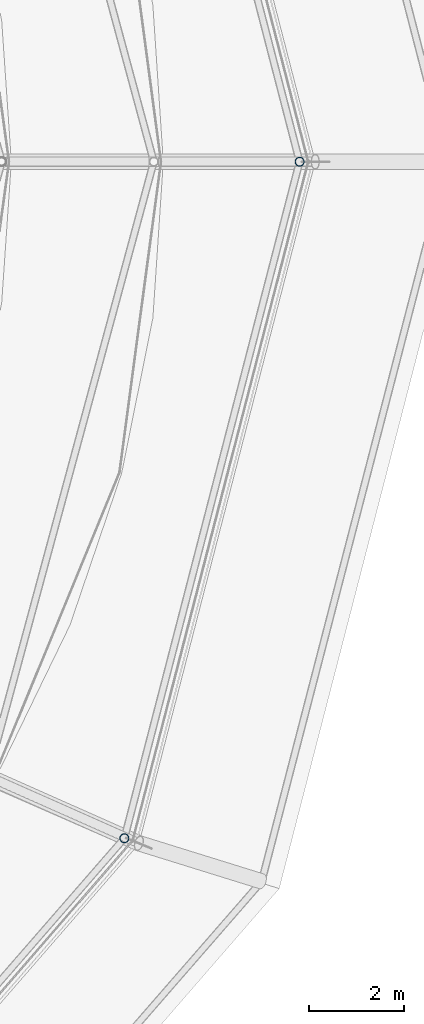
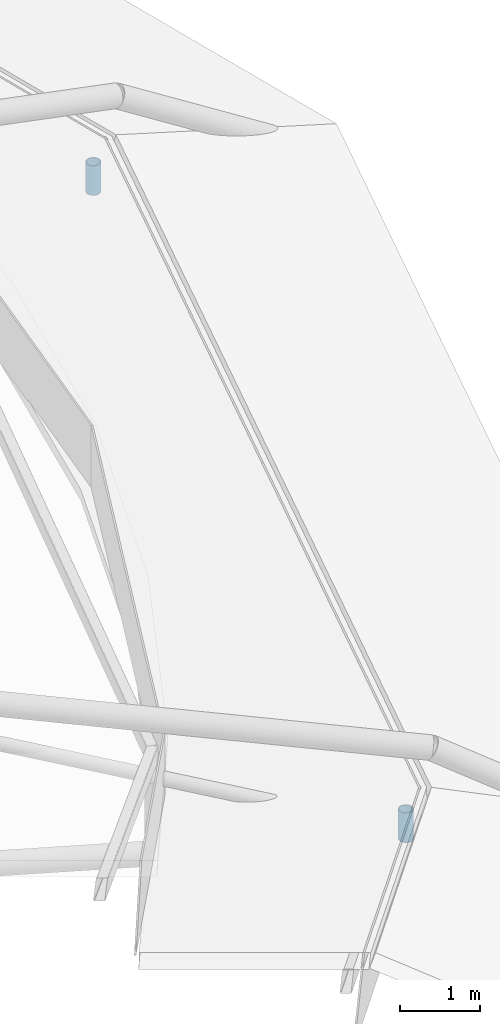
# One storey, part 98 of 134: 2 members.
"""IFC4 building model written with IfcOpenShell, lengths in metres."""

from ifc_helpers import new_model, si_unit, derived_unit, direction, frame, origin, origin_2d, place, context, subcontext, project, spatial, hollow_circle, extrude, material, material_profile, profile_set, type_object, element, save


model = new_model("IFC4")

# Units and contexts
model_context = context("Model", 3, precision=1e-05, world=origin(), true_north=direction((0.0, 1.0)))
body_context = subcontext(model_context, "Body", "Model", "MODEL_VIEW")
ifc_project = project(units=[si_unit("LENGTHUNIT", "METRE"), si_unit("AREAUNIT", "SQUARE_METRE"), si_unit("VOLUMEUNIT", "CUBIC_METRE"), si_unit("PLANEANGLEUNIT", "RADIAN"), si_unit("MASSUNIT", "GRAM", prefix="KILO"), derived_unit("THERMALTRANSMITTANCEUNIT", [(si_unit("MASSUNIT", "GRAM", prefix="KILO"), 1), (si_unit("TIMEUNIT", "SECOND"), -3), (si_unit("THERMODYNAMICTEMPERATUREUNIT", "KELVIN"), -1)])], contexts=[model_context])

# Site, building, storey
site_placement = place(None, origin())
site = spatial("IfcSite", under=ifc_project, at=site_placement, CompositionType="ELEMENT")
building_placement = place(site_placement, origin())
building = spatial("IfcBuilding", under=site, at=building_placement, Name="Kharveza Railside Sports Centre", CompositionType="ELEMENT")
storey_placement = place(building_placement, frame((0.0, 0.0, 12.89990234375)))
storey = spatial("IfcBuildingStorey", under=building, at=storey_placement, Name="L03", CompositionType="ELEMENT", Elevation=12.89990234375)

# Members
ifc_material = material(Name="Steel S355J2", Category="steel")
ifc_material_profile = material_profile(ifc_material, hollow_circle(Radius=0.096923828125, WallThickness=0.010009765625, at=origin_2d()), Name="CHS 193.7x10.0")
ifc_profile_set = profile_set([ifc_material_profile], Name="Steel S355J2")
member_type = type_object("IfcMemberType", Name="MB-ST02", PredefinedType="STRUT", material=ifc_profile_set)
for number, where, z_axis, x_axis, name in (
    (1, (103.070068359375, 50.39990234375, -0.0498046875), (0.0, 0.0, 1.0), (1.0, 0.0, 0.0), "MB-LIDPOST-S1-01"),
    (2, (99.38037109375, 36.15380859375, -0.0498046875), (0.0, 0.0, 1.0), (1.0, 0.0, 0.0), "MB-LIDPOST-S1-16"),
):
    element("IfcMember", number, at=place(storey_placement, frame(where, z_axis=z_axis, x_axis=x_axis)), inside=storey, type_object=member_type, Name=name, PredefinedType="STRUT", context=body_context, shape_type="SweptSolid", body=[
        extrude(hollow_circle(Radius=0.096923828125, WallThickness=0.010009765625, at=origin_2d()), origin(), (0.0, 0.0, 1.0), 0.454833984375),
    ])

save(model, "model.ifc")
